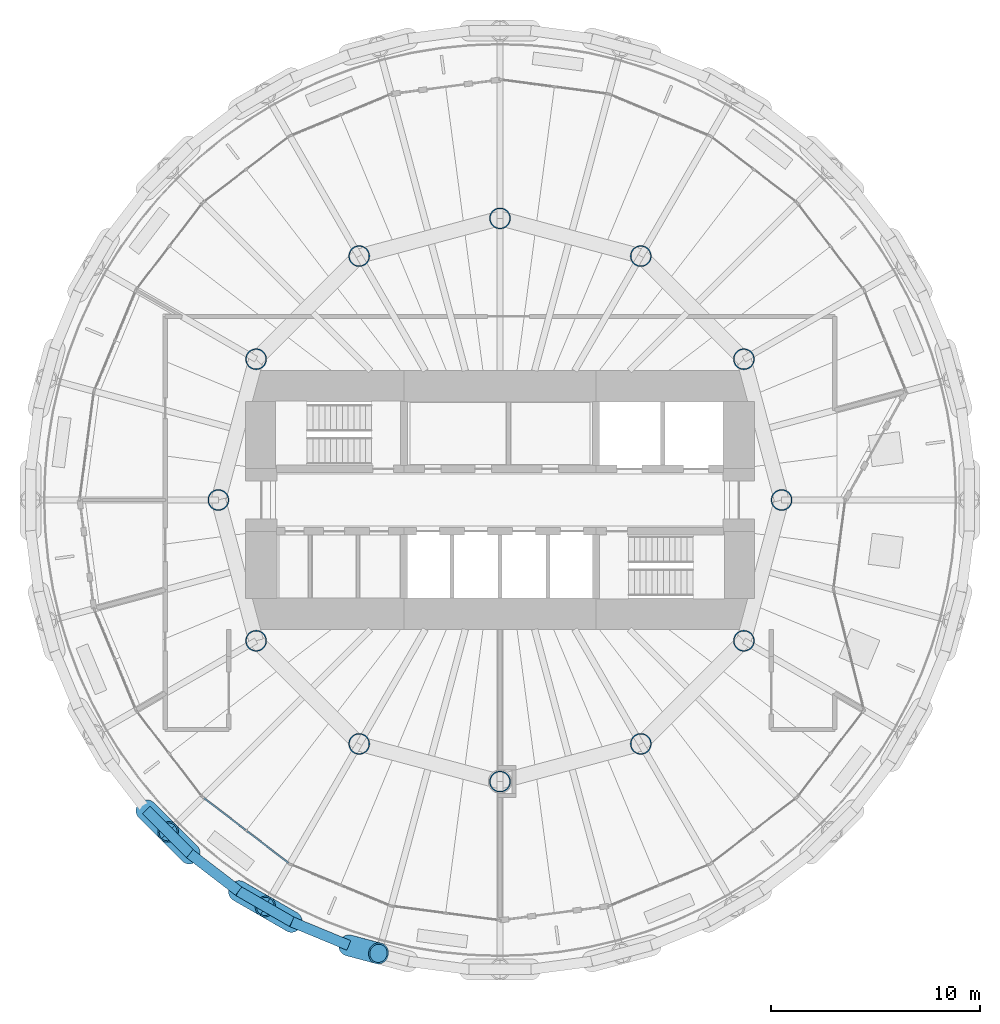
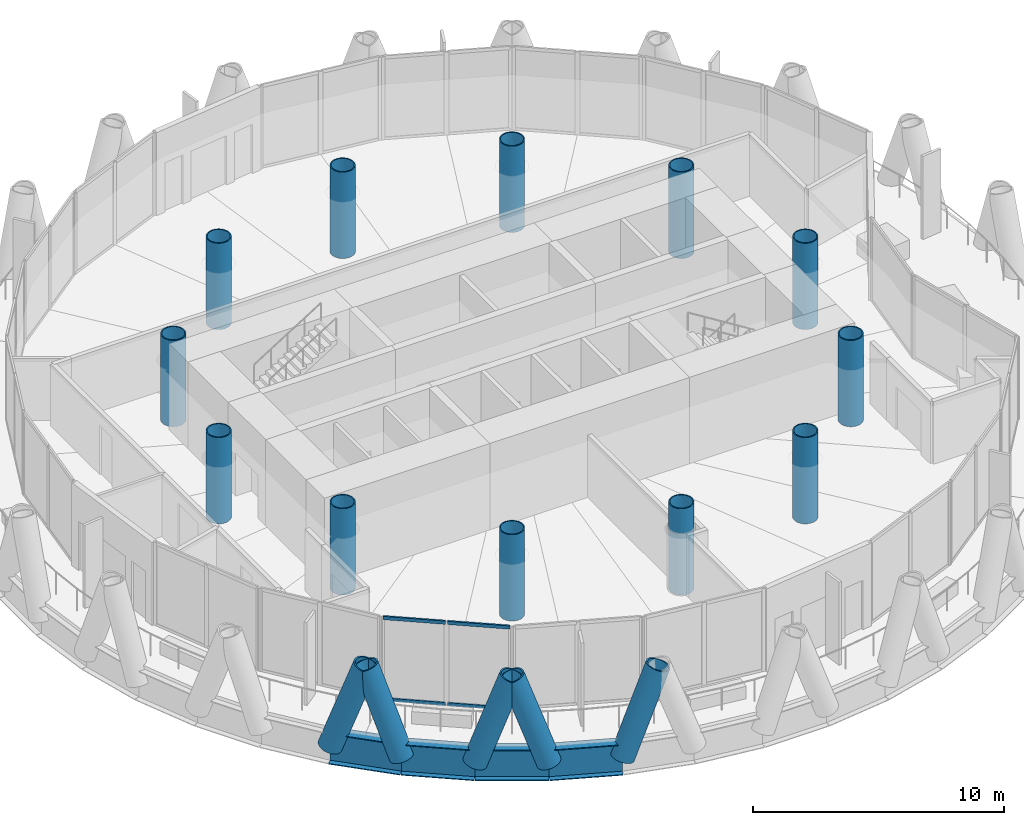
# One storey, part 1 of 13: 12 columns, 9 members, 4 beams, 1 element without a shape of its own.
"""IFC4 building model written with IfcOpenShell, lengths in metres."""

import ifcopenshell
import ifcopenshell.guid

model = None  # the IFC model being written
_history = None  # IfcOwnerHistory: only IFC2X3 demands one
_inside = {}  # id of a spatial element -> (the spatial element, [elements in it])
_under = {}  # id of a project, library or spatial element -> (it, [spatial elements below it])
_declared = {}  # id of a project -> (the project, [libraries it declares])
_typed = {}  # id of a type object -> (the type object, [elements of that type])
_made_of = {}  # id of a material, layer set ... -> (it, [elements and type objects made of it])


def new_model(schema):
    """Start an empty IFC model of exactly this schema.

    Asked for "IFC4X3", IfcOpenShell would pick the latest addendum, in which some entities
    have other attributes; the version numbers below select the first issue.
    IFC2X3 requires an IfcOwnerHistory on every rooted entity: one is made here for all.
    """
    global model, _history
    if schema == "IFC4X3":
        model = ifcopenshell.file(schema_version=(4, 3, 0, 0))
    else:
        model = ifcopenshell.file(schema=schema)
    _inside.clear()
    _under.clear()
    _declared.clear()
    _typed.clear()
    _made_of.clear()
    _history = None
    if model.schema == "IFC2X3":
        org = make("IfcOrganization", Name="unknown")
        user = make(
            "IfcPersonAndOrganization",
            ThePerson=make("IfcPerson", FamilyName="unknown"),
            TheOrganization=org,
        )
        app = make(
            "IfcApplication",
            ApplicationDeveloper=org,
            Version="unknown",
            ApplicationFullName="unknown",
            ApplicationIdentifier="unknown",
        )
        _history = make(
            "IfcOwnerHistory",
            OwningUser=user,
            OwningApplication=app,
            ChangeAction="ADDED",
            CreationDate=0,
        )
    return model


def make(cls, **values):
    """One entity of the class cls with the attributes given. An attribute that is None is left unset."""
    return model.create_entity(
        cls, **{name: value for name, value in values.items() if value is not None}
    )


def rooted(cls, **values):
    """An entity with a GlobalId (a new one), such as an element, a storey or a relation."""
    return make(cls, GlobalId=ifcopenshell.guid.new(), OwnerHistory=_history, **values)


def si_unit(unit_type, name, prefix=None):
    """IfcSIUnit, for example si_unit("LENGTHUNIT", "METRE", prefix="MILLI")."""
    return make("IfcSIUnit", UnitType=unit_type, Prefix=prefix, Name=name)


def assignment(units):
    """IfcUnitAssignment: the units of a project."""
    return None if units is None else make("IfcUnitAssignment", Units=units)


def point(xyz):
    """IfcCartesianPoint."""
    return None if xyz is None else make("IfcCartesianPoint", Coordinates=xyz)


def direction(xyz):
    """IfcDirection."""
    return None if xyz is None else make("IfcDirection", DirectionRatios=xyz)


def frame(location, z_axis=None, x_axis=None):
    """IfcAxis2Placement3D, a coordinate frame: its origin and axes. An axis left out is left unset."""
    return make(
        "IfcAxis2Placement3D",
        Location=point(location),
        Axis=direction(z_axis),
        RefDirection=direction(x_axis),
    )


def frame_2d(location, x_axis=None):
    """IfcAxis2Placement2D, a coordinate frame in the plane: its origin and x axis."""
    return make(
        "IfcAxis2Placement2D", Location=point(location), RefDirection=direction(x_axis)
    )


def origin():
    """The frame at (0, 0, 0) with its axes left unset."""
    return frame((0.0, 0.0, 0.0))


def origin_2d():
    """The frame at (0, 0) in the plane with its x axis left unset."""
    return frame_2d((0.0, 0.0))


def place(relative_to, where):
    """IfcLocalPlacement: puts the frame where relative to a parent placement (None: the world)."""
    return make(
        "IfcLocalPlacement", PlacementRelTo=relative_to, RelativePlacement=where
    )


def context(
    kind, dimensions, precision=None, world=None, true_north=None, identifier=None
):
    """IfcGeometricRepresentationContext, for example the 3D "Model" context."""
    return make(
        "IfcGeometricRepresentationContext",
        ContextIdentifier=identifier,
        ContextType=kind,
        CoordinateSpaceDimension=dimensions,
        Precision=precision,
        WorldCoordinateSystem=world,
        TrueNorth=true_north,
    )


def subcontext(parent, identifier, kind, view, scale=None):
    """IfcGeometricRepresentationSubContext, for example "Body" below "Model"."""
    return make(
        "IfcGeometricRepresentationSubContext",
        ContextIdentifier=identifier,
        ContextType=kind,
        ParentContext=parent,
        TargetScale=scale,
        TargetView=view,
    )


def project(units=None, contexts=None):
    """IfcProject with its units and contexts."""
    return rooted(
        "IfcProject",
        Name="project",
        RepresentationContexts=contexts,
        UnitsInContext=assignment(units),
    )


def spatial(cls, under=None, at=None, **own):
    """A site, building, storey or space (cls), placed at a placement, below another one or the project."""
    s = rooted(cls, ObjectPlacement=at, **own)
    if under is not None:
        _under.setdefault(under.id(), (under, []))[1].append(s)
    return s


def profile(cls, at=None, kind="AREA", **sizes):
    """A parametric profile (cls). Its sizes go by their IFC names, for example OverallWidth=200.0."""
    return make(cls, ProfileType=kind, Position=at, **sizes)


def rectangle(**sizes):
    """IfcRectangleProfileDef."""
    return profile("IfcRectangleProfileDef", **sizes)


def hollow_circle(**sizes):
    """IfcCircleHollowProfileDef."""
    return profile("IfcCircleHollowProfileDef", **sizes)


def i_section(**sizes):
    """IfcIShapeProfileDef."""
    return profile("IfcIShapeProfileDef", **sizes)


def extrude(swept, where, along, depth):
    """IfcExtrudedAreaSolid: the profile swept, set in the frame where, extruded along a direction by depth."""
    return make(
        "IfcExtrudedAreaSolid",
        SweptArea=swept,
        Position=where,
        ExtrudedDirection=direction(along),
        Depth=depth,
    )


def shape(context_of_items, identifier, shape_type, items):
    """IfcShapeRepresentation: the items that make up one representation, for example the "Body"."""
    return make(
        "IfcShapeRepresentation",
        ContextOfItems=context_of_items,
        RepresentationIdentifier=identifier,
        RepresentationType=shape_type,
        Items=items,
    )


def material(Name=None, Category=None):
    """IfcMaterial."""
    return make("IfcMaterial", Name=Name, Category=Category)


def material_profile(
    of_material, cross_section, Name=None, Category=None, Priority=None
):
    """IfcMaterialProfile: a cross section and its material."""
    return make(
        "IfcMaterialProfile",
        Name=Name,
        Material=of_material,
        Profile=cross_section,
        Priority=Priority,
        Category=Category,
    )


def profile_set(profiles, Name=None, composite=None):
    """IfcMaterialProfileSet."""
    return make(
        "IfcMaterialProfileSet",
        Name=Name,
        MaterialProfiles=profiles,
        CompositeProfile=composite,
    )


def made_of(thing, what):
    """Note that an element or type object is made of a material, layer set ...; save() writes the relation."""
    if what is not None:
        _made_of.setdefault(what.id(), (what, []))[1].append(thing)
    return thing


def type_object(cls, material=None, **own):
    """A type object (cls), such as IfcWallType, which elements share."""
    return made_of(rooted(cls, **own), material)


def element(
    cls,
    number,
    at=None,
    inside=None,
    cuts=None,
    type_object=None,
    material=None,
    context=None,
    identifier="Body",
    shape_type=None,
    held_by="IfcProductDefinitionShape",
    body=None,
    shapes=None,
    **own,
):
    """One element of the class cls, such as IfcWall. Its Tag is "e" and its number.

    at: its placement. inside: the storey or other place that contains it. cuts: it is an
    opening in that element (IfcRelVoidsElement). A single representation is given by context,
    identifier, shape_type and body (its items); several are given by shapes. held_by: the class
    of the entity that holds the representations. save() writes the other relations.
    """
    e = rooted(cls, Tag="e%d" % number, ObjectPlacement=at, **own)
    if body is not None:
        shapes = [shape(context, identifier, shape_type, body)]
    if shapes is not None:
        e.Representation = make(held_by, Representations=shapes)
    if inside is not None:
        _inside.setdefault(inside.id(), (inside, []))[1].append(e)
    if cuts is not None:
        rooted(
            "IfcRelVoidsElement", RelatingBuildingElement=cuts, RelatedOpeningElement=e
        )
    if type_object is not None:
        _typed.setdefault(type_object.id(), (type_object, []))[1].append(e)
    return made_of(e, material)


def aggregate(whole, parts):
    """IfcRelAggregates: a whole, such as a stair, and the parts it consists of."""
    return rooted("IfcRelAggregates", RelatingObject=whole, RelatedObjects=parts)


def save(model, path):
    """Write the relations noted so far, then the file.

    IfcRelAggregates (storeys below a building ...), IfcRelContainedInSpatialStructure (elements
    in a storey), IfcRelDefinesByType, IfcRelAssociatesMaterial and IfcRelDeclares: one each for
    every whole, place, type object, material and project.
    """
    for whole, parts in _under.values():
        aggregate(whole, parts)
    for where, things in _inside.values():
        rooted(
            "IfcRelContainedInSpatialStructure",
            RelatedElements=things,
            RelatingStructure=where,
        )
    for kind, things in _typed.values():
        rooted("IfcRelDefinesByType", RelatedObjects=things, RelatingType=kind)
    for what, things in _made_of.values():
        rooted("IfcRelAssociatesMaterial", RelatedObjects=things, RelatingMaterial=what)
    for by, libraries in _declared.values():
        rooted("IfcRelDeclares", RelatingContext=by, RelatedDefinitions=libraries)
    model.write(path)


model = new_model("IFC4")

# Units and contexts
model_context = context("Model", 3, precision=1e-05, world=origin(), true_north=direction((0.0, 1.0)))
body_context = subcontext(model_context, "Body", "Model", "MODEL_VIEW")
ifc_project = project(units=[si_unit("LENGTHUNIT", "METRE"), si_unit("AREAUNIT", "SQUARE_METRE"), si_unit("VOLUMEUNIT", "CUBIC_METRE"), si_unit("PLANEANGLEUNIT", "RADIAN"), si_unit("MASSUNIT", "GRAM", prefix="KILO")], contexts=[model_context])

# Site, building, storey
site_placement = place(None, origin())
site = spatial("IfcSite", under=ifc_project, at=site_placement, CompositionType="ELEMENT")
building_placement = place(site_placement, origin())
building = spatial("IfcBuilding", under=site, at=building_placement, Name="Qaws Media Tower", CompositionType="ELEMENT")
storey_placement = place(building_placement, frame((0.0, 0.0, 223.39990234375)))
storey = spatial("IfcBuildingStorey", under=building, at=storey_placement, Name="L51", CompositionType="ELEMENT", Elevation=223.39990234375)

# Columns
ifc_material_1 = material(Name="Steel S460", Category="steel")
ifc_material_profile_1 = material_profile(ifc_material_1, hollow_circle(Radius=0.508056640625, WallThickness=0.050048828125, at=origin_2d()), Name="CHS 1016x50")
ifc_profile_set_1 = profile_set([ifc_material_profile_1], Name="Steel S460")
column_type = type_object("IfcColumnType", Name="Inner column CHS 1016x50", PredefinedType="COLUMN", material=ifc_profile_set_1)
for number, where, z_axis, x_axis, name in (
    (1, (73.5, 50.0, 0.0), (0.0, 0.0, 1.0), (1.0, 0.0, 0.0), "C2 inner column I01 L51"),
    (2, (71.69140625, 56.75, 0.0), (0.0, 0.0, 1.0), (1.0, 0.0, 0.0), "C2 inner column I02 L51"),
    (3, (66.75, 61.69140625, 0.0), (0.0, 0.0, 1.0), (1.0, 0.0, 0.0), "C2 inner column I03 L51"),
    (4, (60.0, 63.5, 0.0), (0.0, 0.0, 1.0), (1.0, 0.0, 0.0), "C2 inner column I04 L51"),
    (5, (53.25, 61.69140625, 0.0), (0.0, 0.0, 1.0), (1.0, 0.0, 0.0), "C2 inner column I05 L51"),
    (6, (48.30859375, 56.75, 0.0), (0.0, 0.0, 1.0), (1.0, 0.0, 0.0), "C2 inner column I06 L51"),
    (7, (46.5, 50.0, 0.0), (0.0, 0.0, 1.0), (1.0, 0.0, 0.0), "C2 inner column I07 L51"),
    (8, (48.30859375, 43.25, 0.0), (0.0, 0.0, 1.0), (1.0, 0.0, 0.0), "C2 inner column I08 L51"),
    (9, (53.25, 38.30859375, 0.0), (0.0, 0.0, 1.0), (1.0, 0.0, 0.0), "C2 inner column I09 L51"),
    (10, (60.0, 36.5, 0.0), (0.0, 0.0, 1.0), (1.0, 0.0, 0.0), "C2 inner column I10 L51"),
    (11, (66.75, 38.30859375, 0.0), (0.0, 0.0, 1.0), (1.0, 0.0, 0.0), "C2 inner column I11 L51"),
    (12, (71.69140625, 43.25, 0.0), (0.0, 0.0, 1.0), (1.0, 0.0, 0.0), "C2 inner column I12 L51"),
):
    element("IfcColumn", number, at=place(storey_placement, frame(where, z_axis=z_axis, x_axis=x_axis)), inside=storey, type_object=column_type, Name=name, PredefinedType="COLUMN", context=body_context, shape_type="SweptSolid", body=[
        extrude(hollow_circle(Radius=0.508056640625, WallThickness=0.050048828125, at=origin_2d()), origin(), (0.0, 0.0, 1.0), 4.2001953125),
    ])

# Curtain wall, members
ifc_material_2 = material(Name="Aluminium and clear glass", Category="aluminium")
curtain_wall_type = type_object("IfcCurtainWallType", Name="Unitised curtain wall CW-C", PredefinedType="NOTDEFINED", material=ifc_material_2)
curtain_wall_placement = place(storey_placement, origin())
curtain_wall = element("IfcCurtainWall", 13, at=curtain_wall_placement, inside=storey, type_object=curtain_wall_type, Name="CWC curtain wall L51-16", PredefinedType="NOTDEFINED")
ifc_material_3 = material(Name="Aluminium transom", Category="aluminium")
ifc_material_profile_2 = material_profile(ifc_material_3, rectangle(XDim=0.080078125, YDim=0.159912109375, at=origin_2d()), Name="80x160")
ifc_profile_set_2 = profile_set([ifc_material_profile_2], Name="Aluminium transom")
member_type_1 = type_object("IfcMemberType", Name="Curtain wall transom 80x160", PredefinedType="USERDEFINED", material=ifc_profile_set_2)
member_1_placement = place(storey_placement, frame((45.815185546875, 35.703125, 0.0400390625), z_axis=(0.793357391306, -0.608756149587, 0.0), x_axis=(0.608756149587, 0.793357391306, 0.0)))
member_1 = element("IfcMember", 14, at=member_1_placement, type_object=member_type_1, Name="CWC transom 1.1", ObjectType="TRANSOM", PredefinedType="USERDEFINED", context=body_context, shape_type="SweptSolid", body=[
    extrude(rectangle(XDim=0.080078125, YDim=0.159912109375, at=origin_2d()), origin(), (0.0, 0.0, 1.0), 2.51025390625),
])
member_2_placement = place(storey_placement, frame((45.815185546875, 35.703125, 4.0), z_axis=(0.793357391306, -0.608756149587, 0.0), x_axis=(0.608756149587, 0.793357391306, 0.0)))
member_2 = element("IfcMember", 15, at=member_2_placement, type_object=member_type_1, Name="CWC transom 1.2", ObjectType="TRANSOM", PredefinedType="USERDEFINED", context=body_context, shape_type="SweptSolid", body=[
    extrude(rectangle(XDim=0.080078125, YDim=0.159912109375, at=origin_2d()), origin(), (0.0, 0.0, 1.0), 2.51025390625),
])
member_3_placement = place(storey_placement, frame((47.8701171875, 34.126220703125, 0.0400390625), z_axis=(0.793404364979, -0.608694926571, 0.0), x_axis=(0.608694926571, 0.793404364979, 0.0)))
member_3 = element("IfcMember", 16, at=member_3_placement, type_object=member_type_1, Name="CWC transom 2.1", ObjectType="TRANSOM", PredefinedType="USERDEFINED", context=body_context, shape_type="SweptSolid", body=[
    extrude(rectangle(XDim=0.080078125, YDim=0.159912109375, at=origin_2d()), origin(), (0.0, 0.0, 1.0), 2.510009765625),
])
member_4_placement = place(storey_placement, frame((47.8701171875, 34.126220703125, 4.0), z_axis=(0.793404364979, -0.608694926571, 0.0), x_axis=(0.608694926571, 0.793404364979, 0.0)))
member_4 = element("IfcMember", 17, at=member_4_placement, type_object=member_type_1, Name="CWC transom 2.2", ObjectType="TRANSOM", PredefinedType="USERDEFINED", context=body_context, shape_type="SweptSolid", body=[
    extrude(rectangle(XDim=0.080078125, YDim=0.159912109375, at=origin_2d()), origin(), (0.0, 0.0, 1.0), 2.510009765625),
])
aggregate(curtain_wall, [member_1, member_2, member_3, member_4])

# Members
ifc_material_4 = material(Name="Steel S460", Category="steel")
ifc_material_profile_3 = material_profile(ifc_material_4, hollow_circle(Radius=0.508056640625, WallThickness=0.070068359375, at=origin_2d()), Name="CHS 1016x70")
ifc_profile_set_3 = profile_set([ifc_material_profile_3], Name="Steel S460")
member_type_2 = type_object("IfcMemberType", Name="Diagrid member CHS 1016x70", PredefinedType="USERDEFINED", material=ifc_profile_set_3)
for number, where, z_axis, x_axis, name in (
    (18, (43.0458984375, 35.1318359375, -0.909912109375), (0.234574341367, -0.234025886045, 0.94350769103), (0.706278691182, 0.707933902551, 0.0), "DG3 diagrid L51 A15"),
    (19, (47.471923828125, 31.250244140625, -0.909912109375), (0.287120937435, -0.16530706885, 0.943522729072), (0.498953142085, 0.866628964438, 0.0), "DG3 diagrid L51 A16"),
    (20, (45.1318359375, 33.0458984375, -0.909912109375), (-0.234025886045, 0.234574341367, 0.94350769103), (-0.707933902551, -0.706278691182, 0.0), "DG3 diagrid L51 B16"),
    (21, (52.75146484375, 28.646728515625, -0.909912109375), (0.320135875408, -0.085395161557, 0.943515070181), (0.257734769998, 0.966215704868, 0.0), "DG3 diagrid L51 A17"),
    (22, (50.0263671875, 29.775634765625, -0.909912109375), (-0.286737340788, 0.165965415689, 0.943523809023), (-0.500944907845, -0.865479173236, 0.0), "DG3 diagrid L51 B17"),
):
    element("IfcMember", number, at=place(storey_placement, frame(where, z_axis=z_axis, x_axis=x_axis)), inside=storey, type_object=member_type_2, Name=name, ObjectType="DIAGRID", PredefinedType="USERDEFINED", context=body_context, shape_type="SweptSolid", body=[
        extrude(hollow_circle(Radius=0.508056640625, WallThickness=0.070068359375, at=origin_2d()), origin(), (0.0, 0.0, 1.0), 4.451416015625),
    ])

# Beams
ifc_material_5 = material(Name="Steel S460", Category="steel")
ifc_material_profile_4 = material_profile(ifc_material_5, i_section(OverallWidth=0.5, OverallDepth=1.5, WebThickness=0.02001953125, FlangeThickness=0.0400390625, at=origin_2d()), Name="PG 1500x500")
ifc_profile_set_4 = profile_set([ifc_material_profile_4], Name="Steel S460")
beam_type = type_object("IfcBeamType", Name="Edge ring beam PG 1500x500", PredefinedType="BEAM", material=ifc_profile_set_4)
beam_1_placement = place(storey_placement, frame((43.0458984375, 35.1318359375, -0.909912109375), z_axis=(0.707106781187, -0.707106781187, 0.0), x_axis=(0.707106781187, 0.707106781187, 0.0)))
element("IfcBeam", 23, at=beam_1_placement, inside=storey, type_object=beam_type, Name="RB4 edge ring beam L51-30", PredefinedType="BEAM", context=body_context, shape_type="SweptSolid", body=[
    extrude(i_section(OverallWidth=0.5, OverallDepth=1.5, WebThickness=0.02001953125, FlangeThickness=0.0400390625, at=origin_2d()), origin(), (0.0, 0.0, 1.0), 2.949951171875),
])
beam_2_placement = place(storey_placement, frame((45.1318359375, 33.0458984375, -0.909912109375), z_axis=(0.793346511764, -0.608770328015, 0.0), x_axis=(0.608770328015, 0.793346511764, 0.0)))
element("IfcBeam", 24, at=beam_2_placement, inside=storey, type_object=beam_type, Name="RB4 edge ring beam L51-31", PredefinedType="BEAM", context=body_context, shape_type="SweptSolid", body=[
    extrude(i_section(OverallWidth=0.5, OverallDepth=1.5, WebThickness=0.02001953125, FlangeThickness=0.0400390625, at=origin_2d()), origin(), (0.0, 0.0, 1.0), 2.94970703125),
])
beam_3_placement = place(storey_placement, frame((47.471923828125, 31.250244140625, -0.909912109375), z_axis=(0.866054644421, -0.499949350311, 0.0), x_axis=(0.499949350311, 0.866054644421, 0.0)))
element("IfcBeam", 25, at=beam_3_placement, inside=storey, type_object=beam_type, Name="RB4 edge ring beam L51-32", PredefinedType="BEAM", context=body_context, shape_type="SweptSolid", body=[
    extrude(i_section(OverallWidth=0.5, OverallDepth=1.5, WebThickness=0.02001953125, FlangeThickness=0.0400390625, at=origin_2d()), origin(), (0.0, 0.0, 1.0), 2.949462890625),
])
beam_4_placement = place(storey_placement, frame((50.0263671875, 29.775634765625, -0.909912109375), z_axis=(0.92386348916, -0.382722162146, 0.0), x_axis=(0.382722162146, 0.92386348916, 0.0)))
element("IfcBeam", 26, at=beam_4_placement, inside=storey, type_object=beam_type, Name="RB4 edge ring beam L51-33", PredefinedType="BEAM", context=body_context, shape_type="SweptSolid", body=[
    extrude(i_section(OverallWidth=0.5, OverallDepth=1.5, WebThickness=0.02001953125, FlangeThickness=0.0400390625, at=origin_2d()), origin(), (0.0, 0.0, 1.0), 2.94970703125),
])

save(model, "model.ifc")
